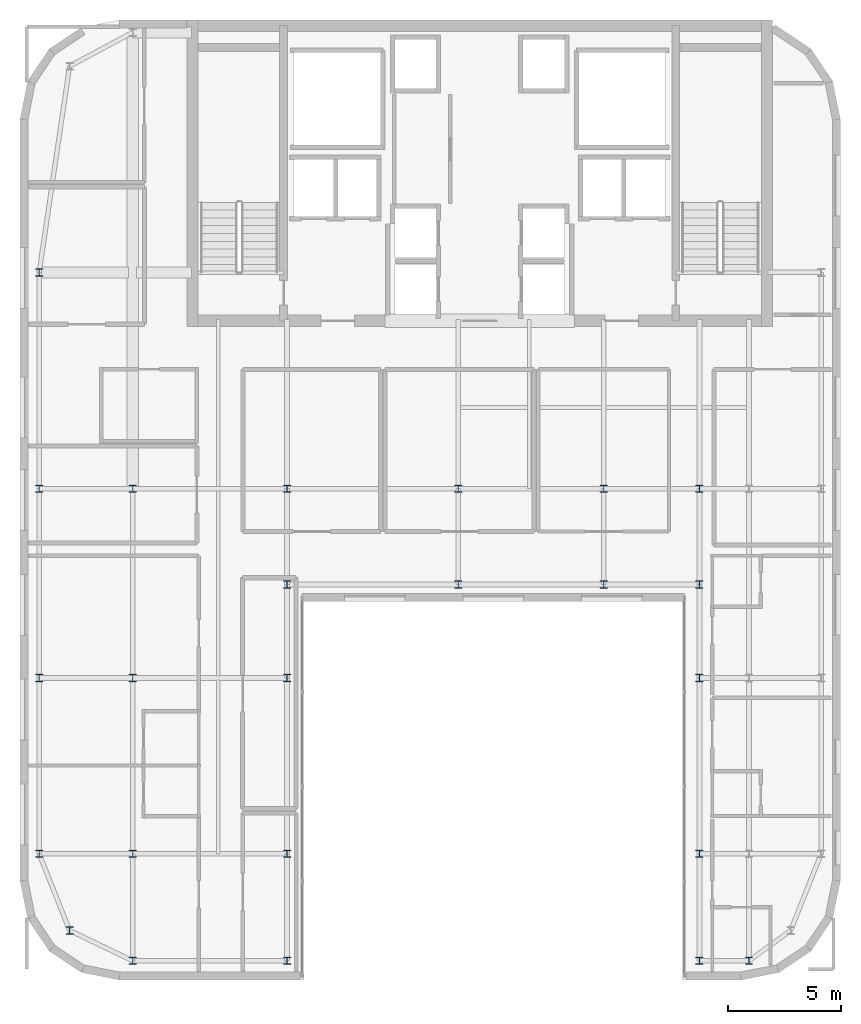
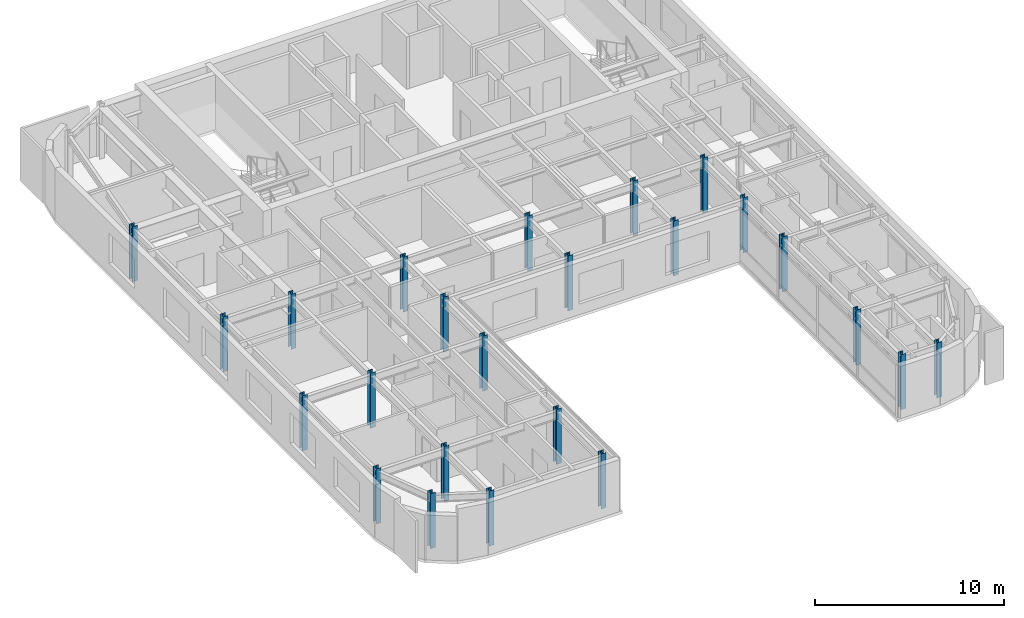
# One storey, part 1 of 18: 24 columns.
"""IFC4 building model written with IfcOpenShell, lengths in metres."""

from ifc_helpers import new_model, si_unit, direction, frame, origin, origin_2d, place, context, subcontext, project, spatial, i_section, extrude, source, transform, mapped, material, material_profile, profile_set, type_object, type_shapes, element, save


model = new_model("IFC4")

# Units and contexts
model_context = context("Model", 3, precision=1e-05, world=origin(), true_north=direction((0.0, 1.0)))
body_context = subcontext(model_context, "Body", "Model", "MODEL_VIEW")
ifc_project = project(units=[si_unit("LENGTHUNIT", "METRE"), si_unit("AREAUNIT", "SQUARE_METRE"), si_unit("VOLUMEUNIT", "CUBIC_METRE"), si_unit("PLANEANGLEUNIT", "RADIAN"), si_unit("MASSUNIT", "GRAM", prefix="KILO")], contexts=[model_context])

# Site, building, storey
site_placement = place(None, origin())
site = spatial("IfcSite", under=ifc_project, at=site_placement, CompositionType="ELEMENT")
building_placement = place(site_placement, origin())
building = spatial("IfcBuilding", under=site, at=building_placement, Name="Tolvann Quenvar Hotel", CompositionType="ELEMENT")
storey_placement = place(building_placement, frame((0.0, 0.0, 252.300048828125)))
storey = spatial("IfcBuildingStorey", under=building, at=storey_placement, Name="L67", CompositionType="ELEMENT", Elevation=252.300048828125)

# Columns
ifc_material = material(Name="Steel Grade 350", Category="steel")
ifc_material_profile_1 = material_profile(ifc_material, i_section(OverallWidth=0.30908203125, OverallDepth=0.321044921875, WebThickness=0.013916015625, FlangeThickness=0.021728515625, FilletRadius=0.0166015625, at=origin_2d()), Name="310UC137")
ifc_profile_set_1 = profile_set([ifc_material_profile_1], Name="Steel Grade 350")
column_type_1 = type_object("IfcColumnType", Name="COL_310UC137", PredefinedType="COLUMN", material=ifc_profile_set_1)
shared_shape_1 = source(origin(), body_context, "Body", "SweptSolid", [
    extrude(i_section(OverallWidth=0.30908203125, OverallDepth=0.321044921875, WebThickness=0.013916015625, FlangeThickness=0.021728515625, FilletRadius=0.0166015625, at=origin_2d()), origin(), (0.0, 0.0, 1.0), 3.550048828125),
])
type_shapes(column_type_1, [shared_shape_1])
for number, where, z_axis, x_axis, name in (
    (1, (4.800048828125, 4.800048828125, 0.0), (0.0, 0.0, 1.0), (1.0, 0.0, 0.0), "Column B2 (L67)"),
    (2, (3.449951171875, 8.199951171875, 0.0), (0.0, 0.0, 1.0), (1.0, 0.0, 0.0), "Column B3 (L67)"),
    (3, (3.449951171875, 16.0, 0.0), (0.0, 0.0, 1.0), (1.0, 0.0, 0.0), "Column B4 (L67)"),
    (4, (7.60009765625, 3.449951171875, 0.0), (0.0, 0.0, 1.0), (1.0, 0.0, 0.0), "Column C2 (L67)"),
    (5, (14.449951171875, 3.449951171875, 0.0), (0.0, 0.0, 1.0), (1.0, 0.0, 0.0), "Column D2 (L67)"),
    (6, (14.449951171875, 8.199951171875, 0.0), (0.0, 0.0, 1.0), (1.0, 0.0, 0.0), "Column D3 (L67)"),
    (7, (14.449951171875, 16.0, 0.0), (0.0, 0.0, 1.0), (1.0, 0.0, 0.0), "Column D4 (L67)"),
    (8, (32.75, 3.449951171875, 0.0), (0.0, 0.0, 1.0), (1.0, 0.0, 0.0), "Column FP2 (L67)"),
    (9, (32.75, 8.199951171875, 0.0), (0.0, 0.0, 1.0), (1.0, 0.0, 0.0), "Column FP3 (L67)"),
    (10, (32.75, 16.0, 0.0), (0.0, 0.0, 1.0), (1.0, 0.0, 0.0), "Column FP4 (L67)"),
    (11, (34.949951171875, 3.449951171875, 0.0), (0.0, 0.0, 1.0), (1.0, 0.0, 0.0), "Column F2 (L67)"),
    (12, (3.449951171875, 24.39990234375, 0.0), (0.0, 0.0, 1.0), (1.0, 0.0, 0.0), "Column B5 (L67)"),
    (13, (14.449951171875, 20.14990234375, 0.0), (0.0, 0.0, 1.0), (1.0, 0.0, 0.0), "Column D4P (L67)"),
    (14, (22.050048828125, 20.14990234375, 0.0), (0.0, 0.0, 1.0), (1.0, 0.0, 0.0), "Column E4P (L67)"),
    (15, (28.5, 20.14990234375, 0.0), (0.0, 0.0, 1.0), (1.0, 0.0, 0.0), "Column M4P (L67)"),
    (16, (32.75, 20.14990234375, 0.0), (0.0, 0.0, 1.0), (1.0, 0.0, 0.0), "Column FP4P (L67)"),
    (17, (3.449951171875, 34.0, 0.0), (0.0, 0.0, 1.0), (1.0, 0.0, 0.0), "Column BD6 (L67)"),
):
    element("IfcColumn", number, at=place(storey_placement, frame(where, z_axis=z_axis, x_axis=x_axis)), inside=storey, type_object=column_type_1, Name=name, PredefinedType="COLUMN", context=body_context, shape_type="MappedRepresentation", body=[
        mapped(shared_shape_1, transform((0.0, 0.0, 0.0), x_axis=(1.0, 0.0, 0.0), y_axis=(0.0, 1.0, 0.0), z_axis=(0.0, 0.0, 1.0), scale=1.0)),
    ])
ifc_material_profile_2 = material_profile(ifc_material, i_section(OverallWidth=0.306884765625, OverallDepth=0.31494140625, WebThickness=0.011962890625, FlangeThickness=0.018798828125, FilletRadius=0.0166015625, at=origin_2d()), Name="310UC118")
ifc_profile_set_2 = profile_set([ifc_material_profile_2], Name="Steel Grade 350")
column_type_2 = type_object("IfcColumnType", Name="COL_310UC118", PredefinedType="COLUMN", material=ifc_profile_set_2)
shared_shape_2 = source(origin(), body_context, "Body", "SweptSolid", [
    extrude(i_section(OverallWidth=0.306884765625, OverallDepth=0.31494140625, WebThickness=0.011962890625, FlangeThickness=0.018798828125, FilletRadius=0.0166015625, at=origin_2d()), origin(), (0.0, 0.0, 1.0), 3.550048828125),
])
type_shapes(column_type_2, [shared_shape_2])
for number, where, z_axis, x_axis, name in (
    (18, (7.60009765625, 8.199951171875, 0.0), (0.0, 0.0, 1.0), (1.0, 0.0, 0.0), "Column C3 (L67)"),
    (19, (7.60009765625, 16.0, 0.0), (0.0, 0.0, 1.0), (1.0, 0.0, 0.0), "Column C4 (L67)"),
    (20, (7.60009765625, 24.39990234375, 0.0), (0.0, 0.0, 1.0), (1.0, 0.0, 0.0), "Column C5 (L67)"),
    (21, (14.449951171875, 24.39990234375, 0.0), (0.0, 0.0, 1.0), (1.0, 0.0, 0.0), "Column D5 (L67)"),
    (22, (22.050048828125, 24.39990234375, 0.0), (0.0, 0.0, 1.0), (1.0, 0.0, 0.0), "Column E5 (L67)"),
    (23, (28.5, 24.39990234375, 0.0), (0.0, 0.0, 1.0), (1.0, 0.0, 0.0), "Column M5 (L67)"),
    (24, (32.75, 24.39990234375, 0.0), (0.0, 0.0, 1.0), (1.0, 0.0, 0.0), "Column FP5 (L67)"),
):
    element("IfcColumn", number, at=place(storey_placement, frame(where, z_axis=z_axis, x_axis=x_axis)), inside=storey, type_object=column_type_2, Name=name, PredefinedType="COLUMN", context=body_context, shape_type="MappedRepresentation", body=[
        mapped(shared_shape_2, transform((0.0, 0.0, 0.0), x_axis=(1.0, 0.0, 0.0), y_axis=(0.0, 1.0, 0.0), z_axis=(0.0, 0.0, 1.0), scale=1.0)),
    ])

save(model, "model.ifc")
